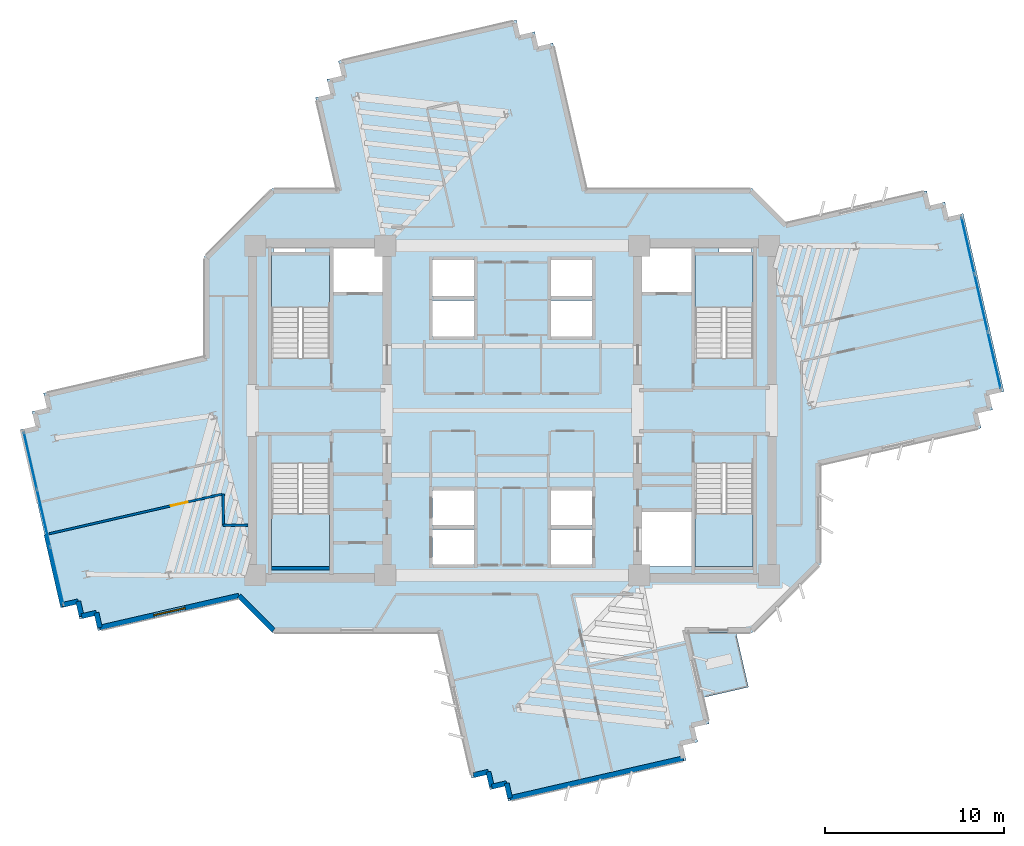
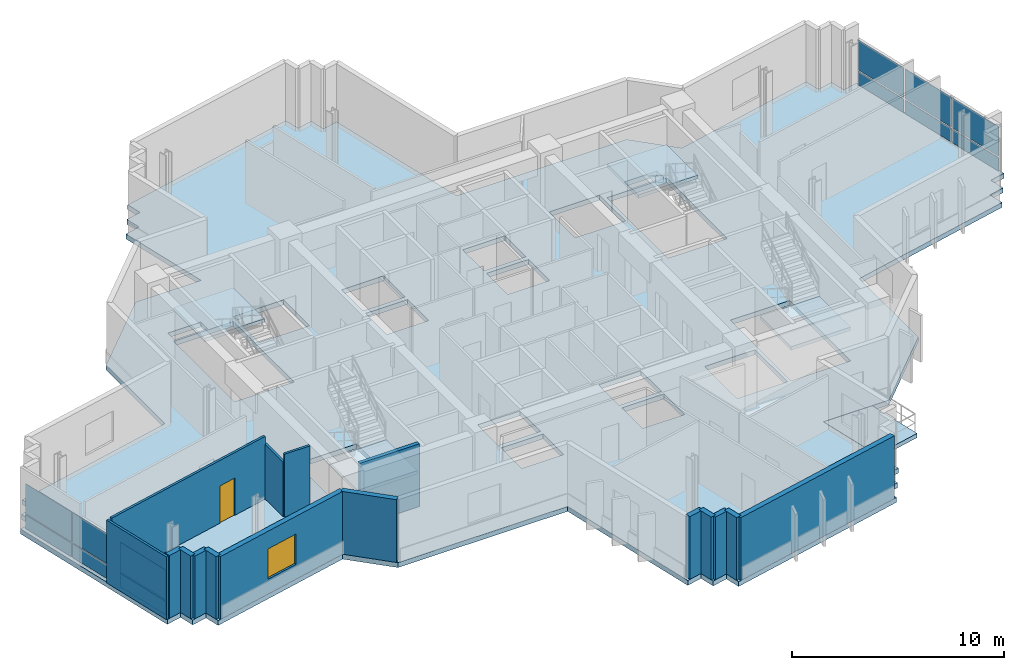
# One storey, part 5 of 13: 16 walls, 12 plates, 6 slabs, 1 door, 1 window, 2 openings, 6 elements without a shape of their own.
"""IFC4 building model written with IfcOpenShell, lengths in metres."""

from ifc_helpers import new_model, si_unit, direction, frame, frame_2d, origin, origin_2d, place, context, subcontext, project, spatial, polyline, rectangle, outline, extrude, source, transform, mapped, material, layer, layer_set, type_object, element, fill, aggregate, save


model = new_model("IFC4")

# Units and contexts
model_context = context("Model", 3, precision=1e-05, world=origin(), true_north=direction((0.0, 1.0)))
body_context = subcontext(model_context, "Body", "Model", "MODEL_VIEW")
ifc_project = project(units=[si_unit("LENGTHUNIT", "METRE"), si_unit("AREAUNIT", "SQUARE_METRE"), si_unit("VOLUMEUNIT", "CUBIC_METRE"), si_unit("PLANEANGLEUNIT", "RADIAN"), si_unit("MASSUNIT", "GRAM", prefix="KILO")], contexts=[model_context])

# Site, building, storey
site_placement = place(None, origin())
site = spatial("IfcSite", under=ifc_project, at=site_placement, CompositionType="ELEMENT")
building_placement = place(site_placement, origin())
building = spatial("IfcBuilding", under=site, at=building_placement, Name="Zahravan Cultural Tower", CompositionType="ELEMENT")
storey_placement = place(building_placement, frame((0.0, 0.0, 174.60009765625)))
storey = spatial("IfcBuildingStorey", under=building, at=storey_placement, Name="L40", CompositionType="ELEMENT", Elevation=174.60009765625)

# Slab
ifc_material_1 = material(Name="Concrete C45/55", Category="concrete")
ifc_layer_1 = layer(ifc_material_1, 0.280029296875)
ifc_layer_set_1 = layer_set([ifc_layer_1], Name="Concrete C45/55")
slab_type_1 = type_object("IfcSlabType", Name="SL-LIB-280", PredefinedType="FLOOR", material=ifc_layer_set_1)
slab_1_placement = place(storey_placement, frame((0.0, 0.0, -0.280029296875)))
element("IfcSlab", 1, at=slab_1_placement, inside=storey, type_object=slab_type_1, Name="L40 Structural Floor Slab", PredefinedType="FLOOR", context=body_context, shape_type="SweptSolid", body=[
    extrude(outline(polyline([(51.31103515625, 37.489013671875), (49.39990234375, 39.39990234375), (40.132080078125, 39.39990234375), (38.267822265625, 47.526611328125), (37.439453125, 47.336669921875), (37.249267578125, 48.165283203125), (36.4208984375, 47.97509765625), (36.230712890625, 48.8037109375), (26.2890625, 46.52294921875), (26.47900390625, 45.694580078125), (25.650634765625, 45.50439453125), (25.840576171875, 44.676025390625), (25.01220703125, 44.48583984375), (26.1787109375, 39.39990234375), (22.60009765625, 39.39990234375), (18.800048828125, 35.60009765625), (18.800048828125, 30.031005859375), (9.820068359375, 27.970947265625), (10.01025390625, 27.142578125), (9.181640625, 26.952392578125), (9.37158203125, 26.1240234375), (8.543212890625, 25.933837890625), (10.823974609375, 15.9921875), (11.65234375, 16.18212890625), (11.84228515625, 15.353759765625), (12.6708984375, 15.543701171875), (12.86083984375, 14.71533203125), (20.68896484375, 16.510986328125), (22.60009765625, 14.60009765625), (31.867919921875, 14.60009765625), (33.732177734375, 6.473388671875), (34.560546875, 6.663330078125), (34.750732421875, 5.834716796875), (35.5791015625, 6.02490234375), (35.769287109375, 5.1962890625), (45.7109375, 7.47705078125), (45.52099609375, 8.305419921875), (46.349365234375, 8.49560546875), (46.159423828125, 9.323974609375), (46.98779296875, 9.51416015625), (45.8212890625, 14.60009765625), (49.39990234375, 14.60009765625), (53.199951171875, 18.39990234375), (53.199951171875, 23.968994140625), (62.179931640625, 26.029052734375), (61.98974609375, 26.857421875), (62.818359375, 27.047607421875), (62.62841796875, 27.8759765625), (63.456787109375, 28.066162109375), (61.176025390625, 38.0078125), (60.34765625, 37.81787109375), (60.15771484375, 38.646240234375), (59.3291015625, 38.456298828125), (59.13916015625, 39.28466796875), (51.31103515625, 37.489013671875)]), holes=[polyline([(22.550048828125, 29.949951171875), (22.550048828125, 35.699951171875), (25.800048828125, 35.699951171875), (25.800048828125, 29.949951171875), (22.550048828125, 29.949951171875)]), polyline([(22.550048828125, 18.300048828125), (22.550048828125, 24.050048828125), (25.800048828125, 24.050048828125), (25.800048828125, 18.300048828125), (22.550048828125, 18.300048828125)]), polyline([(46.199951171875, 29.949951171875), (46.199951171875, 35.699951171875), (49.449951171875, 35.699951171875), (49.449951171875, 29.949951171875), (46.199951171875, 29.949951171875)]), polyline([(46.199951171875, 18.300048828125), (46.199951171875, 24.050048828125), (49.449951171875, 24.050048828125), (49.449951171875, 18.300048828125), (46.199951171875, 18.300048828125)]), polyline([(26.0, 33.60009765625), (26.0, 36.050048828125), (28.75, 36.050048828125), (28.75, 33.60009765625), (26.0, 33.60009765625)]), polyline([(43.25, 33.60009765625), (43.25, 36.050048828125), (46.0, 36.050048828125), (46.0, 33.60009765625), (43.25, 33.60009765625)]), polyline([(43.25, 18.300048828125), (43.25, 21.35009765625), (46.0, 21.35009765625), (46.0, 18.300048828125), (43.25, 18.300048828125)]), polyline([(31.550048828125, 33.39990234375), (31.550048828125, 35.39990234375), (33.85009765625, 35.39990234375), (33.85009765625, 33.39990234375), (31.550048828125, 33.39990234375)]), polyline([(31.550048828125, 31.14990234375), (31.550048828125, 33.14990234375), (33.85009765625, 33.14990234375), (33.85009765625, 31.14990234375), (31.550048828125, 31.14990234375)]), polyline([(38.14990234375, 33.39990234375), (38.14990234375, 35.39990234375), (40.449951171875, 35.39990234375), (40.449951171875, 33.39990234375), (38.14990234375, 33.39990234375)]), polyline([(38.14990234375, 31.14990234375), (38.14990234375, 33.14990234375), (40.449951171875, 33.14990234375), (40.449951171875, 31.14990234375), (38.14990234375, 31.14990234375)]), polyline([(31.550048828125, 20.60009765625), (31.550048828125, 22.550048828125), (33.85009765625, 22.550048828125), (33.85009765625, 20.60009765625), (31.550048828125, 20.60009765625)]), polyline([(31.550048828125, 18.39990234375), (31.550048828125, 20.35009765625), (33.85009765625, 20.35009765625), (33.85009765625, 18.39990234375), (31.550048828125, 18.39990234375)]), polyline([(38.14990234375, 20.60009765625), (38.14990234375, 22.550048828125), (40.449951171875, 22.550048828125), (40.449951171875, 20.60009765625), (38.14990234375, 20.60009765625)]), polyline([(38.14990234375, 18.39990234375), (38.14990234375, 20.35009765625), (40.449951171875, 20.35009765625), (40.449951171875, 18.39990234375), (38.14990234375, 18.39990234375)]), polyline([(22.64990234375, 35.800048828125), (22.64990234375, 36.419921875), (24.449951171875, 36.419921875), (24.449951171875, 35.800048828125), (22.64990234375, 35.800048828125)]), polyline([(47.550048828125, 35.800048828125), (47.550048828125, 36.419921875), (49.35009765625, 36.419921875), (49.35009765625, 35.800048828125), (47.550048828125, 35.800048828125)])]), origin(), (0.0, 0.0, 1.0), 0.280029296875),
])

# Stair, slab
stair_type = type_object("IfcStairType", Name="STR-DL-1550-390", PredefinedType="HALF_TURN_STAIR", material=ifc_material_1)
stair_1_placement = place(storey_placement, origin())
stair_1 = element("IfcStair", 2, at=stair_1_placement, inside=storey, type_object=stair_type, Name="L40 West Core North Exit Stair ST-W1", PredefinedType="HALF_TURN_STAIR")
ifc_layer_2 = layer(ifc_material_1, 0.199951171875)
ifc_layer_set_2 = layer_set([ifc_layer_2], Name="Concrete C45/55")
slab_type_2 = type_object("IfcSlabType", Name="SL-STAIR-LND200", PredefinedType="LANDING", material=ifc_layer_set_2)
slab_2_placement = place(storey_placement, frame((0.0, 0.0, 1.75)))
slab_2 = element("IfcSlab", 3, at=slab_2_placement, type_object=slab_type_2, Name="ST-W1 landing 1", PredefinedType="LANDING", context=body_context, shape_type="SweptSolid", body=[
    extrude(outline(polyline([(25.800048828125, 32.75), (25.800048828125, 35.699951171875), (22.550048828125, 35.699951171875), (22.550048828125, 32.75), (25.800048828125, 32.75)])), origin(), (0.0, 0.0, 1.0), 0.199951171875),
])
aggregate(stair_1, [slab_2])

stair_2_placement = place(storey_placement, origin())
stair_2 = element("IfcStair", 4, at=stair_2_placement, inside=storey, type_object=stair_type, Name="L40 West Core South Exit Stair ST-W2", PredefinedType="HALF_TURN_STAIR")
slab_3_placement = place(storey_placement, frame((0.0, 0.0, 1.75)))
slab_3 = element("IfcSlab", 5, at=slab_3_placement, type_object=slab_type_2, Name="ST-W2 landing 1", PredefinedType="LANDING", context=body_context, shape_type="SweptSolid", body=[
    extrude(outline(polyline([(22.550048828125, 21.25), (22.550048828125, 18.300048828125), (25.800048828125, 18.300048828125), (25.800048828125, 21.25), (22.550048828125, 21.25)])), origin(), (0.0, 0.0, 1.0), 0.199951171875),
])
aggregate(stair_2, [slab_3])

stair_3_placement = place(storey_placement, origin())
stair_3 = element("IfcStair", 6, at=stair_3_placement, inside=storey, type_object=stair_type, Name="L40 East Core North Exit Stair ST-E1", PredefinedType="HALF_TURN_STAIR")
slab_4_placement = place(storey_placement, frame((0.0, 0.0, 1.75)))
slab_4 = element("IfcSlab", 7, at=slab_4_placement, type_object=slab_type_2, Name="ST-E1 landing 1", PredefinedType="LANDING", context=body_context, shape_type="SweptSolid", body=[
    extrude(outline(polyline([(49.449951171875, 32.75), (49.449951171875, 35.699951171875), (46.199951171875, 35.699951171875), (46.199951171875, 32.75), (49.449951171875, 32.75)])), origin(), (0.0, 0.0, 1.0), 0.199951171875),
])
aggregate(stair_3, [slab_4])

stair_4_placement = place(storey_placement, origin())
stair_4 = element("IfcStair", 8, at=stair_4_placement, inside=storey, type_object=stair_type, Name="L40 East Core South Exit Stair ST-E2", PredefinedType="HALF_TURN_STAIR")
slab_5_placement = place(storey_placement, frame((0.0, 0.0, 1.75)))
slab_5 = element("IfcSlab", 9, at=slab_5_placement, type_object=slab_type_2, Name="ST-E2 landing 1", PredefinedType="LANDING", context=body_context, shape_type="SweptSolid", body=[
    extrude(outline(polyline([(46.199951171875, 21.25), (46.199951171875, 18.300048828125), (49.449951171875, 18.300048828125), (49.449951171875, 21.25), (46.199951171875, 21.25)])), origin(), (0.0, 0.0, 1.0), 0.199951171875),
])
aggregate(stair_4, [slab_5])

# Slab
ifc_material_2 = material(Name="Concrete C40/50", Category="concrete")
ifc_layer_3 = layer(ifc_material_2, 0.239990234375)
ifc_layer_set_3 = layer_set([ifc_layer_3], Name="Concrete C40/50")
slab_type_3 = type_object("IfcSlabType", Name="SL-TERR-240", PredefinedType="FLOOR", material=ifc_layer_set_3)
slab_6_placement = place(storey_placement, frame((0.0, 0.0, -0.239990234375)))
element("IfcSlab", 10, at=slab_6_placement, inside=storey, type_object=slab_type_3, Name="L40 Planted Sculpture Terrace SE", PredefinedType="FLOOR", context=body_context, shape_type="SweptSolid", body=[
    extrude(outline(polyline([(49.1865234375, 11.5576171875), (48.48974609375, 14.594970703125), (45.827392578125, 14.594970703125), (46.657470703125, 10.977294921875), (49.1865234375, 11.5576171875)])), origin(), (0.0, 0.0, 1.0), 0.239990234375),
])

# Curtain wall, plates
ifc_material_3 = material(Name="Anodised bronze-aluminium mullion", Category="aluminium")
ifc_layer_4 = layer(ifc_material_3, 0.219970703125)
ifc_layer_set_4 = layer_set([ifc_layer_4], Name="Anodised bronze-aluminium mullion")
curtain_wall_type_1 = type_object("IfcCurtainWallType", Name="CW-SYS-1", PredefinedType="USERDEFINED", material=ifc_layer_set_4)
curtain_wall_1_placement = place(storey_placement, origin())
curtain_wall_1 = element("IfcCurtainWall", 11, at=curtain_wall_1_placement, inside=storey, type_object=curtain_wall_type_1, Name="L40 Recessed Curtain Wall CW-1.1", ObjectType="RECESSED GLAZING", PredefinedType="USERDEFINED")
ifc_material_4 = material(Name="Low-E solar-control double glazing", Category="glass")
ifc_layer_5 = layer(ifc_material_4, 0.031982421875)
ifc_layer_set_5 = layer_set([ifc_layer_5], Name="Low-E solar-control double glazing")
plate_type_1 = type_object("IfcPlateType", Name="CWP-CW-1", PredefinedType="CURTAIN_PANEL", material=ifc_layer_set_5)
shared_shape_1 = source(origin(), body_context, "Body", "SweptSolid", [
    extrude(rectangle(XDim=3.186767578125, YDim=0.031982421875, at=origin_2d()), origin(), (0.0, 0.0, 1.0), 0.780029296875),
])
plate_1_placement = place(storey_placement, frame((61.445068359375, 36.208984375, 0.080078125), z_axis=(0.0, 0.0, 1.0), x_axis=(0.223599629842, -0.974681078884, 0.0)))
plate_1 = element("IfcPlate", 12, at=plate_1_placement, type_object=plate_type_1, Name="CW-1 panel 1.1", PredefinedType="CURTAIN_PANEL", context=body_context, shape_type="MappedRepresentation", body=[
    mapped(shared_shape_1, transform((0.0, 0.0, 0.0), x_axis=(1.0, 0.0, 0.0), y_axis=(0.0, 1.0, 0.0), z_axis=(0.0, 0.0, 1.0), scale=1.0)),
])
plate_2_placement = place(storey_placement, frame((62.914794921875, 29.80224609375, 0.080078125), z_axis=(0.0, 0.0, 1.0), x_axis=(0.223599629842, -0.974681078884, 0.0)))
plate_2 = element("IfcPlate", 13, at=plate_2_placement, type_object=plate_type_1, Name="CW-1 panel 3.1", PredefinedType="CURTAIN_PANEL", context=body_context, shape_type="MappedRepresentation", body=[
    mapped(shared_shape_1, transform((0.0, 0.0, 0.0), x_axis=(1.0, 0.0, 0.0), y_axis=(0.0, 1.0, 0.0), z_axis=(0.0, 0.0, 1.0), scale=1.0)),
])

ifc_layer_6 = layer(ifc_material_3, 0.199951171875)
ifc_layer_set_6 = layer_set([ifc_layer_6], Name="Anodised bronze-aluminium mullion")
curtain_wall_type_2 = type_object("IfcCurtainWallType", Name="CW-SYS-2", PredefinedType="USERDEFINED", material=ifc_layer_set_6)
curtain_wall_2_placement = place(storey_placement, origin())
curtain_wall_2 = element("IfcCurtainWall", 14, at=curtain_wall_2_placement, inside=storey, type_object=curtain_wall_type_2, Name="L40 Recessed Curtain Wall CW-2.2", ObjectType="RECESSED GLAZING", PredefinedType="USERDEFINED")
ifc_layer_7 = layer(ifc_material_4, 0.030029296875)
ifc_layer_set_7 = layer_set([ifc_layer_7], Name="Low-E solar-control double glazing")
plate_type_2 = type_object("IfcPlateType", Name="CWP-CW-2", PredefinedType="CURTAIN_PANEL", material=ifc_layer_set_7)
shared_shape_2 = source(origin(), body_context, "Body", "SweptSolid", [
    extrude(rectangle(XDim=3.194091796875, YDim=0.030029296875, at=origin_2d()), origin(), (0.0, 0.0, 1.0), 0.78759765625),
])
plate_3_placement = place(storey_placement, frame((10.55517578125, 17.789794921875, 0.074951171875), z_axis=(0.0, 0.0, 1.0), x_axis=(-0.223599629842, 0.974681078884, 0.0)))
plate_3 = element("IfcPlate", 15, at=plate_3_placement, type_object=plate_type_2, Name="CW-2 panel 1.1", PredefinedType="CURTAIN_PANEL", context=body_context, shape_type="MappedRepresentation", body=[
    mapped(shared_shape_2, transform((0.0, 0.0, 0.0), x_axis=(1.0, 0.0, 0.0), y_axis=(0.0, 1.0, 0.0), z_axis=(0.0, 0.0, 1.0), scale=1.0)),
])
plate_4_placement = place(storey_placement, frame((9.0849609375, 24.198974609375, 0.074951171875), z_axis=(0.0, 0.0, 1.0), x_axis=(-0.223599629842, 0.974681078884, 0.0)))
plate_4 = element("IfcPlate", 16, at=plate_4_placement, type_object=plate_type_2, Name="CW-2 panel 3.1", PredefinedType="CURTAIN_PANEL", context=body_context, shape_type="MappedRepresentation", body=[
    mapped(shared_shape_2, transform((0.0, 0.0, 0.0), x_axis=(1.0, 0.0, 0.0), y_axis=(0.0, 1.0, 0.0), z_axis=(0.0, 0.0, 1.0), scale=1.0)),
])
shared_shape_3 = source(origin(), body_context, "Body", "SweptSolid", [
    extrude(rectangle(XDim=3.231689453125, YDim=0.030029296875, at=origin_2d()), origin(), (0.0, 0.0, 1.0), 0.78759765625),
])
plate_5_placement = place(storey_placement, frame((9.820068359375, 20.994384765625, 0.074951171875), z_axis=(0.0, 0.0, 1.0), x_axis=(-0.223599629842, 0.974681078884, 0.0)))
plate_5 = element("IfcPlate", 17, at=plate_5_placement, type_object=plate_type_2, Name="CW-2 panel 2.1", PredefinedType="CURTAIN_PANEL", context=body_context, shape_type="MappedRepresentation", body=[
    mapped(shared_shape_3, transform((0.0, 0.0, 0.0), x_axis=(1.0, 0.0, 0.0), y_axis=(0.0, 1.0, 0.0), z_axis=(0.0, 0.0, 1.0), scale=1.0)),
])
shared_shape_4 = source(origin(), body_context, "Body", "SweptSolid", [
    extrude(rectangle(XDim=3.194091796875, YDim=0.030029296875, at=origin_2d()), origin(), (0.0, 0.0, 1.0), 1.7275390625),
])
plate_6_placement = place(storey_placement, frame((10.55517578125, 17.789794921875, 0.9375), z_axis=(0.0, 0.0, 1.0), x_axis=(-0.223599629842, 0.974681078884, 0.0)))
plate_6 = element("IfcPlate", 18, at=plate_6_placement, type_object=plate_type_2, Name="CW-2 panel 1.2", PredefinedType="CURTAIN_PANEL", context=body_context, shape_type="MappedRepresentation", body=[
    mapped(shared_shape_4, transform((0.0, 0.0, 0.0), x_axis=(1.0, 0.0, 0.0), y_axis=(0.0, 1.0, 0.0), z_axis=(0.0, 0.0, 1.0), scale=1.0)),
])
plate_7_placement = place(storey_placement, frame((9.0849609375, 24.198974609375, 0.9375), z_axis=(0.0, 0.0, 1.0), x_axis=(-0.223599629842, 0.974681078884, 0.0)))
plate_7 = element("IfcPlate", 19, at=plate_7_placement, type_object=plate_type_2, Name="CW-2 panel 3.2", PredefinedType="CURTAIN_PANEL", context=body_context, shape_type="MappedRepresentation", body=[
    mapped(shared_shape_4, transform((0.0, 0.0, 0.0), x_axis=(1.0, 0.0, 0.0), y_axis=(0.0, 1.0, 0.0), z_axis=(0.0, 0.0, 1.0), scale=1.0)),
])
shared_shape_5 = source(origin(), body_context, "Body", "SweptSolid", [
    extrude(rectangle(XDim=3.231689453125, YDim=0.030029296875, at=origin_2d()), origin(), (0.0, 0.0, 1.0), 1.7275390625),
])
plate_8_placement = place(storey_placement, frame((9.820068359375, 20.994384765625, 0.9375), z_axis=(0.0, 0.0, 1.0), x_axis=(-0.223599629842, 0.974681078884, 0.0)))
plate_8 = element("IfcPlate", 20, at=plate_8_placement, type_object=plate_type_2, Name="CW-2 panel 2.2", PredefinedType="CURTAIN_PANEL", context=body_context, shape_type="MappedRepresentation", body=[
    mapped(shared_shape_5, transform((0.0, 0.0, 0.0), x_axis=(1.0, 0.0, 0.0), y_axis=(0.0, 1.0, 0.0), z_axis=(0.0, 0.0, 1.0), scale=1.0)),
])
aggregate(curtain_wall_2, [plate_3, plate_6, plate_5, plate_8, plate_4, plate_7])

# Plate
shared_shape_6 = source(origin(), body_context, "Body", "SweptSolid", [
    extrude(rectangle(XDim=3.186767578125, YDim=0.031982421875, at=origin_2d()), origin(), (0.0, 0.0, 1.0), 1.719970703125),
])
plate_9_placement = place(storey_placement, frame((61.445068359375, 36.208984375, 0.93994140625), z_axis=(0.0, 0.0, 1.0), x_axis=(0.223599629842, -0.974681078884, 0.0)))
plate_9 = element("IfcPlate", 21, at=plate_9_placement, type_object=plate_type_1, Name="CW-1 panel 1.2", PredefinedType="CURTAIN_PANEL", context=body_context, shape_type="MappedRepresentation", body=[
    mapped(shared_shape_6, transform((0.0, 0.0, 0.0), x_axis=(1.0, 0.0, 0.0), y_axis=(0.0, 1.0, 0.0), z_axis=(0.0, 0.0, 1.0), scale=1.0)),
])

plate_10_placement = place(storey_placement, frame((62.914794921875, 29.80224609375, 0.93994140625), z_axis=(0.0, 0.0, 1.0), x_axis=(0.223599629842, -0.974681078884, 0.0)))
plate_10 = element("IfcPlate", 22, at=plate_10_placement, type_object=plate_type_1, Name="CW-1 panel 3.2", PredefinedType="CURTAIN_PANEL", context=body_context, shape_type="MappedRepresentation", body=[
    mapped(shared_shape_6, transform((0.0, 0.0, 0.0), x_axis=(1.0, 0.0, 0.0), y_axis=(0.0, 1.0, 0.0), z_axis=(0.0, 0.0, 1.0), scale=1.0)),
])

shared_shape_7 = source(origin(), body_context, "Body", "SweptSolid", [
    extrude(rectangle(XDim=3.2265625, YDim=0.031982421875, at=origin_2d()), origin(), (0.0, 0.0, 1.0), 0.780029296875),
])
plate_11_placement = place(storey_placement, frame((62.179931640625, 33.005615234375, 0.080078125), z_axis=(0.0, 0.0, 1.0), x_axis=(0.223599629842, -0.974681078884, 0.0)))
plate_11 = element("IfcPlate", 23, at=plate_11_placement, type_object=plate_type_1, Name="CW-1 panel 2.1", PredefinedType="CURTAIN_PANEL", context=body_context, shape_type="MappedRepresentation", body=[
    mapped(shared_shape_7, transform((0.0, 0.0, 0.0), x_axis=(1.0, 0.0, 0.0), y_axis=(0.0, 1.0, 0.0), z_axis=(0.0, 0.0, 1.0), scale=1.0)),
])

shared_shape_8 = source(origin(), body_context, "Body", "SweptSolid", [
    extrude(rectangle(XDim=3.2265625, YDim=0.031982421875, at=origin_2d()), origin(), (0.0, 0.0, 1.0), 1.719970703125),
])
plate_12_placement = place(storey_placement, frame((62.179931640625, 33.005615234375, 0.93994140625), z_axis=(0.0, 0.0, 1.0), x_axis=(0.223599629842, -0.974681078884, 0.0)))
plate_12 = element("IfcPlate", 24, at=plate_12_placement, type_object=plate_type_1, Name="CW-1 panel 2.2", PredefinedType="CURTAIN_PANEL", context=body_context, shape_type="MappedRepresentation", body=[
    mapped(shared_shape_8, transform((0.0, 0.0, 0.0), x_axis=(1.0, 0.0, 0.0), y_axis=(0.0, 1.0, 0.0), z_axis=(0.0, 0.0, 1.0), scale=1.0)),
])

aggregate(curtain_wall_1, [plate_1, plate_9, plate_11, plate_12, plate_2, plate_10])

# Wall, opening, window
ifc_material_5 = material(Name="Precast concrete C40/50", Category="concrete")
ifc_layer_8 = layer(ifc_material_5, 0.280029296875)
ifc_layer_set_8 = layer_set([ifc_layer_8], Name="Precast concrete C40/50")
wall_type_1 = type_object("IfcWallType", Name="EW-TC-280", PredefinedType="SOLIDWALL", material=ifc_layer_set_8)
wall_1_placement = place(storey_placement, frame((20.733154296875, 16.664794921875, 0.0), z_axis=(0.0, 0.0, 1.0), x_axis=(-0.974683655327, -0.223588398711, 0.0)))
wall_1 = element("IfcWall", 25, at=wall_1_placement, inside=storey, type_object=wall_type_1, Name="L40 Exterior Masonry Frame Wall 27", PredefinedType="SOLIDWALL", context=body_context, shape_type="SweptSolid", body=[
    extrude(rectangle(XDim=7.96875, YDim=0.280029296875, at=frame_2d((3.984375, 0.0))), origin(), (0.0, 0.0, 1.0), 3.619873046875),
])
opening_1_placement = place(wall_1_placement, frame((3.083984375, 0.0, 0.85009765625)))
opening_1 = element("IfcOpeningElement", 26, at=opening_1_placement, cuts=wall_1, Name="Opening WN-02", PredefinedType="OPENING", context=body_context, shape_type="SweptSolid", body=[
    extrude(rectangle(XDim=1.800048828125, YDim=1.75, at=frame_2d((0.89990234375, 0.875))), frame((0.0, 0.14990234375, 0.0), z_axis=(0.0, -1.0, 0.0), x_axis=(1.0, 0.0, 0.0)), (0.0, 0.0, 1.0), 0.300048828125),
])
window_type = type_object("IfcWindowType", Name="WN-REC-1800X1750", PartitioningType="DOUBLE_PANEL_VERTICAL", PredefinedType="WINDOW", material=ifc_material_4)
shared_shape_9 = source(origin(), body_context, "Body", "SweptSolid", [
    extrude(rectangle(XDim=1.800048828125, YDim=1.75, at=frame_2d((0.89990234375, 0.875))), frame((0.0, 0.030029296875, 0.0), z_axis=(0.0, -1.0, 0.0), x_axis=(1.0, 0.0, 0.0)), (0.0, 0.0, 1.0), 0.06005859375),
])
window_placement = place(opening_1_placement, origin())
window = element("IfcWindow", 27, at=window_placement, inside=storey, type_object=window_type, Name="L40 Recessed Solar Window 07", OverallHeight=1.75, OverallWidth=1.800048828125, PartitioningType="DOUBLE_PANEL_VERTICAL", PredefinedType="WINDOW", context=body_context, shape_type="MappedRepresentation", body=[
    mapped(shared_shape_9, transform((0.0, 0.0, 0.0), x_axis=(1.0, 0.0, 0.0), y_axis=(0.0, 1.0, 0.0), z_axis=(0.0, 0.0, 1.0), scale=1.0)),
])
fill(opening_1, window)

# Wall, opening, door
ifc_material_6 = material(Name="Gypsum plasterboard partition")
ifc_layer_9 = layer(ifc_material_6, 0.125)
ifc_layer_set_9 = layer_set([ifc_layer_9], Name="Gypsum plasterboard partition")
wall_type_2 = type_object("IfcWallType", Name="W-PART-125", PredefinedType="PARTITIONING", material=ifc_layer_set_9)
wall_2_placement = place(storey_placement, frame((10.128173828125, 20.12109375, 0.0), z_axis=(0.0, 0.0, 1.0), x_axis=(0.974684890892, 0.223583012474, 0.0)))
wall_2 = element("IfcWall", 28, at=wall_2_placement, inside=storey, type_object=wall_type_2, Name="L40 Interior Wall 111", PredefinedType="PARTITIONING", context=body_context, shape_type="SweptSolid", body=[
    extrude(rectangle(XDim=9.905029296875, YDim=0.125, at=frame_2d((4.95263671875, 0.0))), origin(), (0.0, 0.0, 1.0), 3.619873046875),
])
opening_2_placement = place(wall_2_placement, frame((6.985107421875, 0.0, 0.0)))
opening_2 = element("IfcOpeningElement", 29, at=opening_2_placement, cuts=wall_2, Name="Opening D-L40-27", PredefinedType="OPENING", context=body_context, shape_type="SweptSolid", body=[
    extrude(rectangle(XDim=0.949951171875, YDim=2.14990234375, at=frame_2d((0.47509765625, 1.074951171875))), frame((0.0, 0.072509765625, 0.0), z_axis=(0.0, -1.0, 0.0), x_axis=(1.0, 0.0, 0.0)), (0.0, 0.0, 1.0), 0.14501953125),
])
door_type = type_object("IfcDoorType", Name="DR-ROOM-950", OperationType="NOTDEFINED", PredefinedType="DOOR", material=ifc_material_3)
shared_shape_10 = source(origin(), body_context, "Body", "SweptSolid", [
    extrude(rectangle(XDim=0.949951171875, YDim=2.14990234375, at=frame_2d((0.47509765625, 1.074951171875))), frame((0.0, 0.02490234375, 0.0), z_axis=(0.0, -1.0, 0.0), x_axis=(1.0, 0.0, 0.0)), (0.0, 0.0, 1.0), 0.050048828125),
])
door_placement = place(opening_2_placement, origin())
door = element("IfcDoor", 30, at=door_placement, inside=storey, type_object=door_type, Name="L40 Door D-L40-27", OperationType="SINGLE_SWING_RIGHT", OverallHeight=2.14990234375, OverallWidth=0.949951171875, PredefinedType="DOOR", context=body_context, shape_type="MappedRepresentation", body=[
    mapped(shared_shape_10, transform((0.0, 0.0, 0.0), x_axis=(1.0, 0.0, 0.0), y_axis=(0.0, 1.0, 0.0), z_axis=(0.0, 0.0, 1.0), scale=1.0)),
])
fill(opening_2, door)

# Walls
shared_shape_11 = source(origin(), body_context, "Body", "SweptSolid", [
    extrude(rectangle(XDim=0.85009765625, YDim=0.280029296875, at=frame_2d((0.425048828125, 0.0))), origin(), (0.0, 0.0, 1.0), 3.619873046875),
])
for number, where, z_axis, x_axis, name in (
    (31, (35.684326171875, 6.192626953125, 0.0), (0.0, 0.0, 1.0), (-0.974719289743, -0.223433001597, 0.0), "L40 Exterior Masonry Frame Wall 21"),
    (32, (12.966064453125, 14.883056640625, 0.0), (0.0, 0.0, 1.0), (-0.223433001597, 0.974719289743, 0.0), "L40 Exterior Masonry Frame Wall 28"),
    (33, (12.776123046875, 15.711669921875, 0.0), (0.0, 0.0, 1.0), (-0.974656710285, -0.22370582714, 0.0), "L40 Exterior Masonry Frame Wall 29"),
    (34, (11.947509765625, 15.521484375, 0.0), (0.0, 0.0, 1.0), (-0.22370582714, 0.974656710285, 0.0), "L40 Exterior Masonry Frame Wall 30"),
):
    element("IfcWall", number, at=place(storey_placement, frame(where, z_axis=z_axis, x_axis=x_axis)), inside=storey, type_object=wall_type_1, Name=name, PredefinedType="SOLIDWALL", context=body_context, shape_type="MappedRepresentation", body=[
        mapped(shared_shape_11, transform((0.0, 0.0, 0.0), x_axis=(1.0, 0.0, 0.0), y_axis=(0.0, 1.0, 0.0), z_axis=(0.0, 0.0, 1.0), scale=1.0)),
    ])
shared_shape_12 = source(origin(), body_context, "Body", "SweptSolid", [
    extrude(rectangle(XDim=0.849853515625, YDim=0.280029296875, at=frame_2d((0.4248046875, 0.0))), origin(), (0.0, 0.0, 1.0), 3.619873046875),
])
for number, where, z_axis, x_axis, name in (
    (35, (35.87451171875, 5.3642578125, 0.0), (0.0, 0.0, 1.0), (-0.223768457828, 0.974642333003, 0.0), "L40 Exterior Masonry Frame Wall 20"),
    (36, (34.855712890625, 6.002685546875, 0.0), (0.0, 0.0, 1.0), (-0.223495563939, 0.974704946586, 0.0), "L40 Exterior Masonry Frame Wall 22"),
    (37, (34.665771484375, 6.8310546875, 0.0), (0.0, 0.0, 1.0), (-0.974704946586, -0.223495563939, 0.0), "L40 Exterior Masonry Frame Wall 23"),
):
    element("IfcWall", number, at=place(storey_placement, frame(where, z_axis=z_axis, x_axis=x_axis)), inside=storey, type_object=wall_type_1, Name=name, PredefinedType="SOLIDWALL", context=body_context, shape_type="MappedRepresentation", body=[
        mapped(shared_shape_12, transform((0.0, 0.0, 0.0), x_axis=(1.0, 0.0, 0.0), y_axis=(0.0, 1.0, 0.0), z_axis=(0.0, 0.0, 1.0), scale=1.0)),
    ])
shared_shape_13 = source(origin(), body_context, "Body", "SweptSolid", [
    extrude(rectangle(XDim=9.919921875, YDim=0.280029296875, at=frame_2d((4.9599609375, 0.0))), origin(), (0.0, 0.0, 1.0), 3.619873046875),
])
wall_3_placement = place(storey_placement, frame((45.543212890625, 7.582275390625, 0.0), z_axis=(0.0, 0.0, 1.0), x_axis=(-0.974682391567, -0.223593907719, 0.0)))
element("IfcWall", 38, at=wall_3_placement, inside=storey, type_object=wall_type_1, Name="L40 Exterior Masonry Frame Wall 19", PredefinedType="SOLIDWALL", context=body_context, shape_type="MappedRepresentation", body=[
    mapped(shared_shape_13, transform((0.0, 0.0, 0.0), x_axis=(1.0, 0.0, 0.0), y_axis=(0.0, 1.0, 0.0), z_axis=(0.0, 0.0, 1.0), scale=1.0)),
])
shared_shape_14 = source(origin(), body_context, "Body", "SweptSolid", [
    extrude(rectangle(XDim=0.849609375, YDim=0.280029296875, at=frame_2d((0.4248046875, 0.0))), origin(), (0.0, 0.0, 1.0), 3.619873046875),
])
wall_4_placement = place(storey_placement, frame((11.75732421875, 16.35009765625, 0.0), z_axis=(0.0, 0.0, 1.0), x_axis=(-0.97462794364, -0.22383112267, 0.0)))
element("IfcWall", 39, at=wall_4_placement, inside=storey, type_object=wall_type_1, Name="L40 Exterior Masonry Frame Wall 31", PredefinedType="SOLIDWALL", context=body_context, shape_type="MappedRepresentation", body=[
    mapped(shared_shape_14, transform((0.0, 0.0, 0.0), x_axis=(1.0, 0.0, 0.0), y_axis=(0.0, 1.0, 0.0), z_axis=(0.0, 0.0, 1.0), scale=1.0)),
])
shared_shape_15 = source(origin(), body_context, "Body", "SweptSolid", [
    extrude(rectangle(XDim=2.72216796875, YDim=0.280029296875, at=frame_2d((1.361083984375, 0.0))), origin(), (0.0, 0.0, 1.0), 3.619873046875),
])
wall_5_placement = place(storey_placement, frame((22.657958984375, 14.739990234375, 0.0), z_axis=(0.0, 0.0, 1.0), x_axis=(-0.707106781187, 0.707106781187, 0.0)))
element("IfcWall", 40, at=wall_5_placement, inside=storey, type_object=wall_type_1, Name="L40 Exterior Masonry Frame Wall 26", PredefinedType="SOLIDWALL", context=body_context, shape_type="MappedRepresentation", body=[
    mapped(shared_shape_15, transform((0.0, 0.0, 0.0), x_axis=(1.0, 0.0, 0.0), y_axis=(0.0, 1.0, 0.0), z_axis=(0.0, 0.0, 1.0), scale=1.0)),
])
ifc_layer_10 = layer(ifc_material_1, 0.199951171875)
ifc_layer_set_10 = layer_set([ifc_layer_10], Name="Concrete C45/55")
wall_type_3 = type_object("IfcWallType", Name="W-SHAFT-200", PredefinedType="SOLIDWALL", material=ifc_layer_set_10)
shared_shape_16 = source(origin(), body_context, "Body", "SweptSolid", [
    extrude(rectangle(XDim=3.25, YDim=0.199951171875, at=frame_2d((1.625, 0.0))), origin(), (0.0, 0.0, 1.0), 3.619873046875),
])
wall_6_placement = place(storey_placement, frame((22.550048828125, 18.199951171875, 0.0), z_axis=(0.0, 0.0, 1.0), x_axis=(1.0, 0.0, 0.0)))
element("IfcWall", 41, at=wall_6_placement, inside=storey, type_object=wall_type_3, Name="L40 Interior Wall 019", PredefinedType="SOLIDWALL", context=body_context, shape_type="MappedRepresentation", body=[
    mapped(shared_shape_16, transform((0.0, 0.0, 0.0), x_axis=(1.0, 0.0, 0.0), y_axis=(0.0, 1.0, 0.0), z_axis=(0.0, 0.0, 1.0), scale=1.0)),
])
shared_shape_17 = source(origin(), body_context, "Body", "SweptSolid", [
    extrude(rectangle(XDim=4.159912109375, YDim=0.125, at=frame_2d((2.080078125, 0.0))), origin(), (0.0, 0.0, 1.0), 3.619873046875),
])
wall_7_placement = place(storey_placement, frame((10.8388671875, 16.01611328125, 0.0), z_axis=(0.0, 0.0, 1.0), x_axis=(-0.223599186995, 0.974681180477, 0.0)))
element("IfcWall", 42, at=wall_7_placement, inside=storey, type_object=wall_type_2, Name="L40 Interior Wall 110", PredefinedType="PARTITIONING", context=body_context, shape_type="MappedRepresentation", body=[
    mapped(shared_shape_17, transform((0.0, 0.0, 0.0), x_axis=(1.0, 0.0, 0.0), y_axis=(0.0, 1.0, 0.0), z_axis=(0.0, 0.0, 1.0), scale=1.0)),
])
shared_shape_18 = source(origin(), body_context, "Body", "SweptSolid", [
    extrude(rectangle(XDim=1.39404296875, YDim=0.125, at=frame_2d((0.697021484375, 0.0))), origin(), (0.0, 0.0, 1.0), 3.619873046875),
])
wall_8_placement = place(storey_placement, frame((19.85107421875, 20.60107421875, 0.0), z_axis=(0.0, 0.0, 1.0), x_axis=(0.999999754632, -0.000700525222, 0.0)))
element("IfcWall", 43, at=wall_8_placement, inside=storey, type_object=wall_type_2, Name="L40 Interior Wall 109", PredefinedType="PARTITIONING", context=body_context, shape_type="MappedRepresentation", body=[
    mapped(shared_shape_18, transform((0.0, 0.0, 0.0), x_axis=(1.0, 0.0, 0.0), y_axis=(0.0, 1.0, 0.0), z_axis=(0.0, 0.0, 1.0), scale=1.0)),
])
shared_shape_19 = source(origin(), body_context, "Body", "SweptSolid", [
    extrude(rectangle(XDim=1.750244140625, YDim=0.125, at=frame_2d((0.875, 0.0))), origin(), (0.0, 0.0, 1.0), 3.14892578125),
])
wall_9_placement = place(storey_placement, frame((19.85009765625, 22.351318359375, 0.0), z_axis=(0.0, 0.0, 1.0), x_axis=(0.000557957787, -0.999999844342, 0.0)))
element("IfcWall", 44, at=wall_9_placement, inside=storey, type_object=wall_type_2, Name="L40 Interior Wall 108", PredefinedType="PARTITIONING", context=body_context, shape_type="MappedRepresentation", body=[
    mapped(shared_shape_19, transform((0.0, 0.0, 0.0), x_axis=(1.0, 0.0, 0.0), y_axis=(0.0, 1.0, 0.0), z_axis=(0.0, 0.0, 1.0), scale=1.0)),
])

save(model, "model.ifc")
